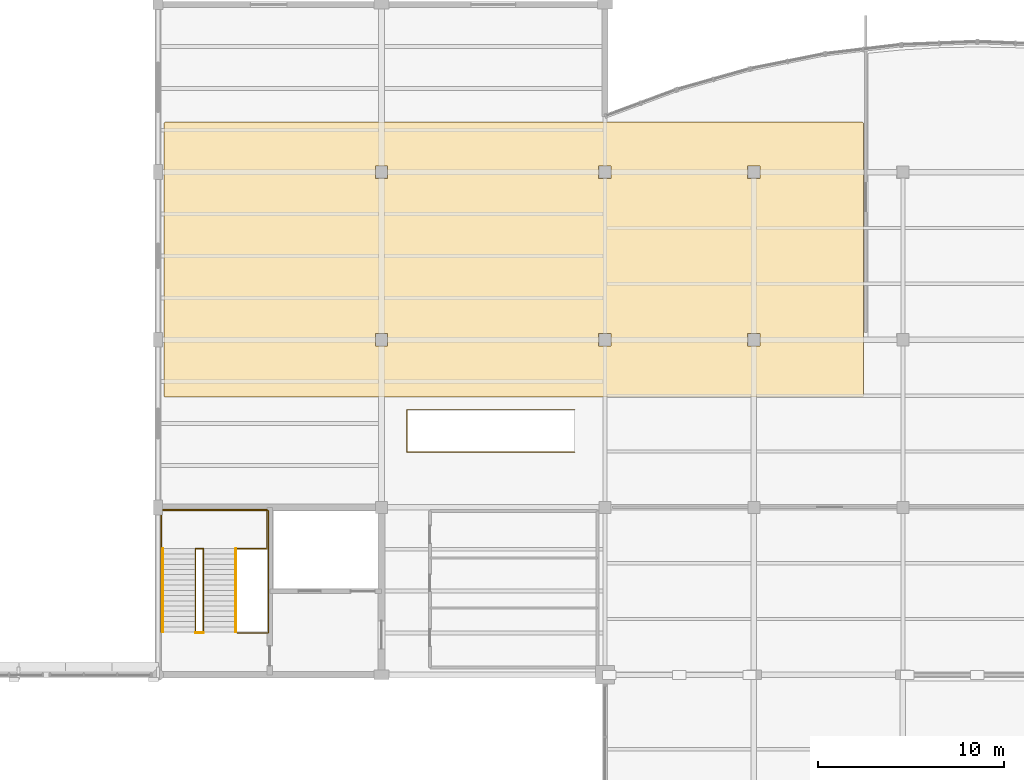
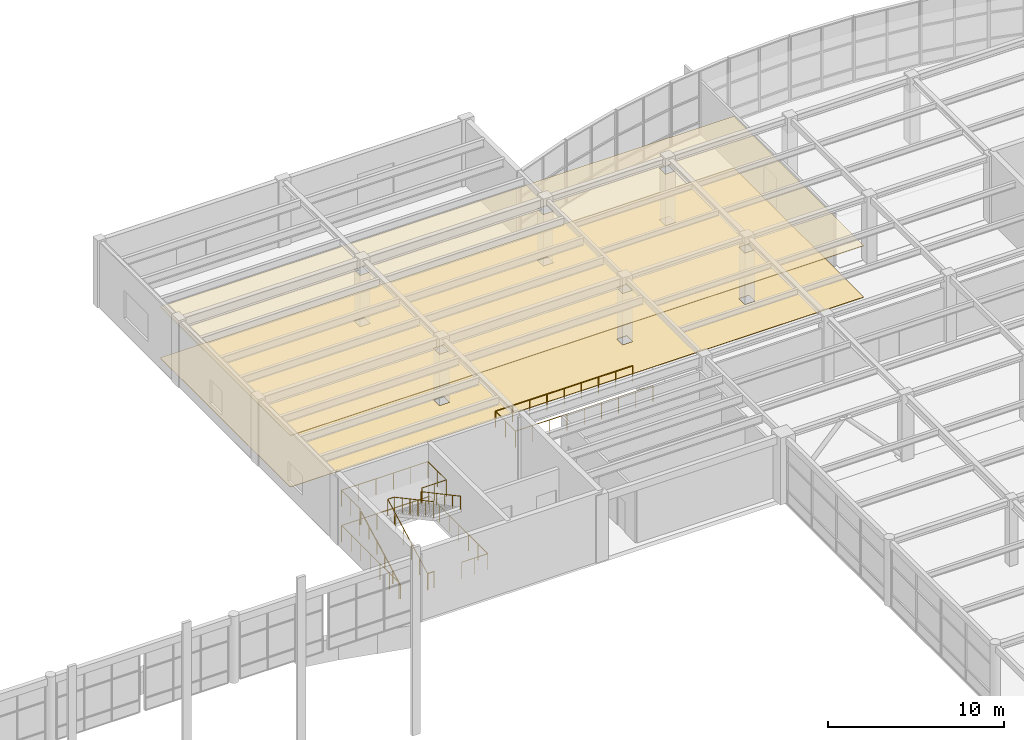
# One storey, part 55 of 63: 7 railings, 2 coverings.
"""IFC4 building model written with IfcOpenShell, lengths in metres."""

import ifcopenshell
import ifcopenshell.guid

model = None  # the IFC model being written
_history = None  # IfcOwnerHistory: only IFC2X3 demands one
_inside = {}  # id of a spatial element -> (the spatial element, [elements in it])
_under = {}  # id of a project, library or spatial element -> (it, [spatial elements below it])
_declared = {}  # id of a project -> (the project, [libraries it declares])
_typed = {}  # id of a type object -> (the type object, [elements of that type])
_made_of = {}  # id of a material, layer set ... -> (it, [elements and type objects made of it])


def new_model(schema):
    """Start an empty IFC model of exactly this schema.

    Asked for "IFC4X3", IfcOpenShell would pick the latest addendum, in which some entities
    have other attributes; the version numbers below select the first issue.
    IFC2X3 requires an IfcOwnerHistory on every rooted entity: one is made here for all.
    """
    global model, _history
    if schema == "IFC4X3":
        model = ifcopenshell.file(schema_version=(4, 3, 0, 0))
    else:
        model = ifcopenshell.file(schema=schema)
    _inside.clear()
    _under.clear()
    _declared.clear()
    _typed.clear()
    _made_of.clear()
    _history = None
    if model.schema == "IFC2X3":
        org = make("IfcOrganization", Name="unknown")
        user = make(
            "IfcPersonAndOrganization",
            ThePerson=make("IfcPerson", FamilyName="unknown"),
            TheOrganization=org,
        )
        app = make(
            "IfcApplication",
            ApplicationDeveloper=org,
            Version="unknown",
            ApplicationFullName="unknown",
            ApplicationIdentifier="unknown",
        )
        _history = make(
            "IfcOwnerHistory",
            OwningUser=user,
            OwningApplication=app,
            ChangeAction="ADDED",
            CreationDate=0,
        )
    return model


def make(cls, **values):
    """One entity of the class cls with the attributes given. An attribute that is None is left unset."""
    return model.create_entity(
        cls, **{name: value for name, value in values.items() if value is not None}
    )


def rooted(cls, **values):
    """An entity with a GlobalId (a new one), such as an element, a storey or a relation."""
    return make(cls, GlobalId=ifcopenshell.guid.new(), OwnerHistory=_history, **values)


def si_unit(unit_type, name, prefix=None):
    """IfcSIUnit, for example si_unit("LENGTHUNIT", "METRE", prefix="MILLI")."""
    return make("IfcSIUnit", UnitType=unit_type, Prefix=prefix, Name=name)


def assignment(units):
    """IfcUnitAssignment: the units of a project."""
    return None if units is None else make("IfcUnitAssignment", Units=units)


def point(xyz):
    """IfcCartesianPoint."""
    return None if xyz is None else make("IfcCartesianPoint", Coordinates=xyz)


def direction(xyz):
    """IfcDirection."""
    return None if xyz is None else make("IfcDirection", DirectionRatios=xyz)


def frame(location, z_axis=None, x_axis=None):
    """IfcAxis2Placement3D, a coordinate frame: its origin and axes. An axis left out is left unset."""
    return make(
        "IfcAxis2Placement3D",
        Location=point(location),
        Axis=direction(z_axis),
        RefDirection=direction(x_axis),
    )


def frame_2d(location, x_axis=None):
    """IfcAxis2Placement2D, a coordinate frame in the plane: its origin and x axis."""
    return make(
        "IfcAxis2Placement2D", Location=point(location), RefDirection=direction(x_axis)
    )


def origin():
    """The frame at (0, 0, 0) with its axes left unset."""
    return frame((0.0, 0.0, 0.0))


def origin_2d():
    """The frame at (0, 0) in the plane with its x axis left unset."""
    return frame_2d((0.0, 0.0))


def place(relative_to, where):
    """IfcLocalPlacement: puts the frame where relative to a parent placement (None: the world)."""
    return make(
        "IfcLocalPlacement", PlacementRelTo=relative_to, RelativePlacement=where
    )


def context(
    kind, dimensions, precision=None, world=None, true_north=None, identifier=None
):
    """IfcGeometricRepresentationContext, for example the 3D "Model" context."""
    return make(
        "IfcGeometricRepresentationContext",
        ContextIdentifier=identifier,
        ContextType=kind,
        CoordinateSpaceDimension=dimensions,
        Precision=precision,
        WorldCoordinateSystem=world,
        TrueNorth=true_north,
    )


def subcontext(parent, identifier, kind, view, scale=None):
    """IfcGeometricRepresentationSubContext, for example "Body" below "Model"."""
    return make(
        "IfcGeometricRepresentationSubContext",
        ContextIdentifier=identifier,
        ContextType=kind,
        ParentContext=parent,
        TargetScale=scale,
        TargetView=view,
    )


def project(units=None, contexts=None):
    """IfcProject with its units and contexts."""
    return rooted(
        "IfcProject",
        Name="project",
        RepresentationContexts=contexts,
        UnitsInContext=assignment(units),
    )


def spatial(cls, under=None, at=None, **own):
    """A site, building, storey or space (cls), placed at a placement, below another one or the project."""
    s = rooted(cls, ObjectPlacement=at, **own)
    if under is not None:
        _under.setdefault(under.id(), (under, []))[1].append(s)
    return s


def polyline(points):
    """IfcPolyline through the points."""
    return make("IfcPolyline", Points=[point(p) for p in points])


def profile(cls, at=None, kind="AREA", **sizes):
    """A parametric profile (cls). Its sizes go by their IFC names, for example OverallWidth=200.0."""
    return make(cls, ProfileType=kind, Position=at, **sizes)


def circle(**sizes):
    """IfcCircleProfileDef."""
    return profile("IfcCircleProfileDef", **sizes)


def outline(outer, holes=None, kind="AREA"):
    """IfcArbitraryClosedProfileDef: a profile drawn as a closed curve; with holes, ...WithVoids."""
    if holes is None:
        return make("IfcArbitraryClosedProfileDef", ProfileType=kind, OuterCurve=outer)
    return make(
        "IfcArbitraryProfileDefWithVoids",
        ProfileType=kind,
        OuterCurve=outer,
        InnerCurves=holes,
    )


def extrude(swept, where, along, depth):
    """IfcExtrudedAreaSolid: the profile swept, set in the frame where, extruded along a direction by depth."""
    return make(
        "IfcExtrudedAreaSolid",
        SweptArea=swept,
        Position=where,
        ExtrudedDirection=direction(along),
        Depth=depth,
    )


def shape(context_of_items, identifier, shape_type, items):
    """IfcShapeRepresentation: the items that make up one representation, for example the "Body"."""
    return make(
        "IfcShapeRepresentation",
        ContextOfItems=context_of_items,
        RepresentationIdentifier=identifier,
        RepresentationType=shape_type,
        Items=items,
    )


def material(Name=None, Category=None):
    """IfcMaterial."""
    return make("IfcMaterial", Name=Name, Category=Category)


def layer(
    of_material, thickness, ventilated=None, Name=None, Category=None, Priority=None
):
    """IfcMaterialLayer: one layer of a wall or slab, of a material (None: an air gap)."""
    return make(
        "IfcMaterialLayer",
        Material=of_material,
        LayerThickness=thickness,
        IsVentilated=ventilated,
        Name=Name,
        Category=Category,
        Priority=Priority,
    )


def layer_set(layers, Name=None):
    """IfcMaterialLayerSet."""
    return make("IfcMaterialLayerSet", MaterialLayers=layers, LayerSetName=Name)


def made_of(thing, what):
    """Note that an element or type object is made of a material, layer set ...; save() writes the relation."""
    if what is not None:
        _made_of.setdefault(what.id(), (what, []))[1].append(thing)
    return thing


def type_object(cls, material=None, **own):
    """A type object (cls), such as IfcWallType, which elements share."""
    return made_of(rooted(cls, **own), material)


def element(
    cls,
    number,
    at=None,
    inside=None,
    cuts=None,
    type_object=None,
    material=None,
    context=None,
    identifier="Body",
    shape_type=None,
    held_by="IfcProductDefinitionShape",
    body=None,
    shapes=None,
    **own,
):
    """One element of the class cls, such as IfcWall. Its Tag is "e" and its number.

    at: its placement. inside: the storey or other place that contains it. cuts: it is an
    opening in that element (IfcRelVoidsElement). A single representation is given by context,
    identifier, shape_type and body (its items); several are given by shapes. held_by: the class
    of the entity that holds the representations. save() writes the other relations.
    """
    e = rooted(cls, Tag="e%d" % number, ObjectPlacement=at, **own)
    if body is not None:
        shapes = [shape(context, identifier, shape_type, body)]
    if shapes is not None:
        e.Representation = make(held_by, Representations=shapes)
    if inside is not None:
        _inside.setdefault(inside.id(), (inside, []))[1].append(e)
    if cuts is not None:
        rooted(
            "IfcRelVoidsElement", RelatingBuildingElement=cuts, RelatedOpeningElement=e
        )
    if type_object is not None:
        _typed.setdefault(type_object.id(), (type_object, []))[1].append(e)
    return made_of(e, material)


def aggregate(whole, parts):
    """IfcRelAggregates: a whole, such as a stair, and the parts it consists of."""
    return rooted("IfcRelAggregates", RelatingObject=whole, RelatedObjects=parts)


def save(model, path):
    """Write the relations noted so far, then the file.

    IfcRelAggregates (storeys below a building ...), IfcRelContainedInSpatialStructure (elements
    in a storey), IfcRelDefinesByType, IfcRelAssociatesMaterial and IfcRelDeclares: one each for
    every whole, place, type object, material and project.
    """
    for whole, parts in _under.values():
        aggregate(whole, parts)
    for where, things in _inside.values():
        rooted(
            "IfcRelContainedInSpatialStructure",
            RelatedElements=things,
            RelatingStructure=where,
        )
    for kind, things in _typed.values():
        rooted("IfcRelDefinesByType", RelatedObjects=things, RelatingType=kind)
    for what, things in _made_of.values():
        rooted("IfcRelAssociatesMaterial", RelatedObjects=things, RelatingMaterial=what)
    for by, libraries in _declared.values():
        rooted("IfcRelDeclares", RelatingContext=by, RelatedDefinitions=libraries)
    model.write(path)


model = new_model("IFC4")

# Units and contexts
model_context = context("Model", 3, precision=1e-05, world=origin(), true_north=direction((0.0, 1.0)))
body_context = subcontext(model_context, "Body", "Model", "MODEL_VIEW")
ifc_project = project(units=[si_unit("LENGTHUNIT", "METRE"), si_unit("AREAUNIT", "SQUARE_METRE"), si_unit("VOLUMEUNIT", "CUBIC_METRE"), si_unit("PLANEANGLEUNIT", "RADIAN"), si_unit("MASSUNIT", "GRAM", prefix="KILO")], contexts=[model_context])

# Site, building, storey
site_placement = place(None, origin())
site = spatial("IfcSite", under=ifc_project, at=site_placement, CompositionType="ELEMENT")
building_placement = place(site_placement, origin())
building = spatial("IfcBuilding", under=site, at=building_placement, Name="Keelwater Ferry Terminal", CompositionType="ELEMENT")
storey_placement = place(building_placement, frame((0.0, 0.0, 10.199951171875)))
storey = spatial("IfcBuildingStorey", under=building, at=storey_placement, Name="L02", CompositionType="ELEMENT", Elevation=10.199951171875)

# Coverings
ifc_material_1 = material(Name="Perforated acoustic gypsum board ceiling", Category="gypsum")
ifc_layer_1 = layer(ifc_material_1, 0.044921875)
ifc_layer_set_1 = layer_set([ifc_layer_1], Name="Perforated acoustic gypsum board ceiling")
covering_type_1 = type_object("IfcCoveringType", Name="CL-AC Acoustic Baffle Ceiling", PredefinedType="CEILING", material=ifc_layer_set_1)
covering_1_placement = place(storey_placement, frame((0.0, 0.0, 3.550048828125)))
element("IfcCovering", 1, at=covering_1_placement, inside=storey, type_object=covering_type_1, Name="Quay Community Hall Acoustic Ceiling", PredefinedType="CEILING", context=body_context, shape_type="SweptSolid", body=[
    extrude(outline(polyline([(145.81591796875, 119.677978515625), (145.822998046875, 119.677001953125), (145.8310546875, 119.674072265625), (145.837890625, 119.6708984375), (145.843994140625, 119.6669921875), (145.85107421875, 119.662109375), (145.85693359375, 119.656982421875), (145.862060546875, 119.65087890625), (145.866943359375, 119.64404296875), (145.87109375, 119.637939453125), (145.8740234375, 119.631103515625), (145.876953125, 119.623046875), (145.8779296875, 119.615966796875), (145.8798828125, 119.60791015625), (145.8798828125, 119.60009765625), (145.8798828125, 105.0), (145.8798828125, 104.991943359375), (145.8779296875, 104.98388671875), (145.876953125, 104.97705078125), (145.8740234375, 104.968994140625), (145.87109375, 104.9619140625), (145.866943359375, 104.9560546875), (145.862060546875, 104.948974609375), (145.85693359375, 104.943115234375), (145.85107421875, 104.93798828125), (145.843994140625, 104.93310546875), (145.837890625, 104.928955078125), (145.8310546875, 104.926025390625), (145.822998046875, 104.923095703125), (145.81591796875, 104.922119140625), (145.80810546875, 104.919921875), (145.800048828125, 104.919921875), (108.39990234375, 104.919921875), (108.39208984375, 104.919921875), (108.384033203125, 104.922119140625), (108.376953125, 104.923095703125), (108.368896484375, 104.926025390625), (108.362060546875, 104.928955078125), (108.35595703125, 104.93310546875), (108.34912109375, 104.93798828125), (108.343017578125, 104.943115234375), (108.337890625, 104.948974609375), (108.3330078125, 104.9560546875), (108.3291015625, 104.9619140625), (108.325927734375, 104.968994140625), (108.322998046875, 104.97705078125), (108.322021484375, 104.98388671875), (108.320068359375, 104.991943359375), (108.320068359375, 105.0), (108.320068359375, 119.60009765625), (108.320068359375, 119.60791015625), (108.322021484375, 119.615966796875), (108.322998046875, 119.623046875), (108.325927734375, 119.631103515625), (108.3291015625, 119.637939453125), (108.3330078125, 119.64404296875), (108.337890625, 119.65087890625), (108.343017578125, 119.656982421875), (108.34912109375, 119.662109375), (108.35595703125, 119.6669921875), (108.362060546875, 119.6708984375), (108.368896484375, 119.674072265625), (108.376953125, 119.677001953125), (108.384033203125, 119.677978515625), (108.39208984375, 119.679931640625), (108.39990234375, 119.679931640625), (145.800048828125, 119.679931640625), (145.80810546875, 119.679931640625), (145.81591796875, 119.677978515625)]), holes=[polyline([(119.6650390625, 108.3349609375), (119.6650390625, 107.6650390625), (120.3349609375, 107.6650390625), (120.3349609375, 108.3349609375), (119.6650390625, 108.3349609375)]), polyline([(131.6650390625, 108.3349609375), (131.6650390625, 107.6650390625), (132.3349609375, 107.6650390625), (132.3349609375, 108.3349609375), (131.6650390625, 108.3349609375)]), polyline([(119.6650390625, 117.3349609375), (119.6650390625, 116.6650390625), (120.3349609375, 116.6650390625), (120.3349609375, 117.3349609375), (119.6650390625, 117.3349609375)]), polyline([(131.6650390625, 117.3349609375), (131.6650390625, 116.6650390625), (132.3349609375, 116.6650390625), (132.3349609375, 117.3349609375), (131.6650390625, 117.3349609375)]), polyline([(139.6650390625, 108.3349609375), (139.6650390625, 107.6650390625), (140.3349609375, 107.6650390625), (140.3349609375, 108.3349609375), (139.6650390625, 108.3349609375)]), polyline([(139.6650390625, 117.3349609375), (139.6650390625, 116.6650390625), (140.3349609375, 116.6650390625), (140.3349609375, 117.3349609375), (139.6650390625, 117.3349609375)])]), origin(), (0.0, 0.0, 1.0), 0.044921875),
])
ifc_material_2 = material(Name="Polished mineral terrazzo tile", Category="stone")
ifc_layer_2 = layer(ifc_material_2, 0.030029296875)
ifc_layer_set_2 = layer_set([ifc_layer_2], Name="Polished mineral terrazzo tile")
covering_type_2 = type_object("IfcCoveringType", Name="FL-TZ Marine Terrazzo Flooring", PredefinedType="FLOORING", material=ifc_layer_set_2)
covering_2_placement = place(storey_placement, origin())
element("IfcCovering", 2, at=covering_2_placement, inside=storey, type_object=covering_type_2, Name="Quay Community Hall Terrazzo Floor", PredefinedType="FLOORING", context=body_context, shape_type="SweptSolid", body=[
    extrude(outline(polyline([(145.81591796875, 119.677978515625), (145.822998046875, 119.677001953125), (145.8310546875, 119.674072265625), (145.837890625, 119.6708984375), (145.843994140625, 119.6669921875), (145.85107421875, 119.662109375), (145.85693359375, 119.656982421875), (145.862060546875, 119.65087890625), (145.866943359375, 119.64404296875), (145.87109375, 119.637939453125), (145.8740234375, 119.631103515625), (145.876953125, 119.623046875), (145.8779296875, 119.615966796875), (145.8798828125, 119.60791015625), (145.8798828125, 119.60009765625), (145.8798828125, 105.0), (145.8798828125, 104.991943359375), (145.8779296875, 104.98388671875), (145.876953125, 104.97705078125), (145.8740234375, 104.968994140625), (145.87109375, 104.9619140625), (145.866943359375, 104.9560546875), (145.862060546875, 104.948974609375), (145.85693359375, 104.943115234375), (145.85107421875, 104.93798828125), (145.843994140625, 104.93310546875), (145.837890625, 104.928955078125), (145.8310546875, 104.926025390625), (145.822998046875, 104.923095703125), (145.81591796875, 104.922119140625), (145.80810546875, 104.919921875), (145.800048828125, 104.919921875), (108.39990234375, 104.919921875), (108.39208984375, 104.919921875), (108.384033203125, 104.922119140625), (108.376953125, 104.923095703125), (108.368896484375, 104.926025390625), (108.362060546875, 104.928955078125), (108.35595703125, 104.93310546875), (108.34912109375, 104.93798828125), (108.343017578125, 104.943115234375), (108.337890625, 104.948974609375), (108.3330078125, 104.9560546875), (108.3291015625, 104.9619140625), (108.325927734375, 104.968994140625), (108.322998046875, 104.97705078125), (108.322021484375, 104.98388671875), (108.320068359375, 104.991943359375), (108.320068359375, 105.0), (108.320068359375, 119.60009765625), (108.320068359375, 119.60791015625), (108.322021484375, 119.615966796875), (108.322998046875, 119.623046875), (108.325927734375, 119.631103515625), (108.3291015625, 119.637939453125), (108.3330078125, 119.64404296875), (108.337890625, 119.65087890625), (108.343017578125, 119.656982421875), (108.34912109375, 119.662109375), (108.35595703125, 119.6669921875), (108.362060546875, 119.6708984375), (108.368896484375, 119.674072265625), (108.376953125, 119.677001953125), (108.384033203125, 119.677978515625), (108.39208984375, 119.679931640625), (108.39990234375, 119.679931640625), (145.800048828125, 119.679931640625), (145.80810546875, 119.679931640625), (145.81591796875, 119.677978515625)]), holes=[polyline([(119.6650390625, 108.3349609375), (119.6650390625, 107.6650390625), (120.3349609375, 107.6650390625), (120.3349609375, 108.3349609375), (119.6650390625, 108.3349609375)]), polyline([(131.6650390625, 108.3349609375), (131.6650390625, 107.6650390625), (132.3349609375, 107.6650390625), (132.3349609375, 108.3349609375), (131.6650390625, 108.3349609375)]), polyline([(119.6650390625, 117.3349609375), (119.6650390625, 116.6650390625), (120.3349609375, 116.6650390625), (120.3349609375, 117.3349609375), (119.6650390625, 117.3349609375)]), polyline([(131.6650390625, 117.3349609375), (131.6650390625, 116.6650390625), (132.3349609375, 116.6650390625), (132.3349609375, 117.3349609375), (131.6650390625, 117.3349609375)]), polyline([(139.6650390625, 108.3349609375), (139.6650390625, 107.6650390625), (140.3349609375, 107.6650390625), (140.3349609375, 108.3349609375), (139.6650390625, 108.3349609375)]), polyline([(139.6650390625, 117.3349609375), (139.6650390625, 116.6650390625), (140.3349609375, 116.6650390625), (140.3349609375, 117.3349609375), (139.6650390625, 117.3349609375)])]), origin(), (0.0, 0.0, 1.0), 0.030029296875),
])

# Railings
ifc_material_3 = material(Name="Painted Steel S355", Category="steel")
railing_type_1 = type_object("IfcRailingType", Name="GR-115 Stair Well Guardrail", PredefinedType="GUARDRAIL", material=ifc_material_3)
railing_1_placement = place(storey_placement, frame((110.010009765625, 92.260009765625, 0.0)))
element("IfcRailing", 3, at=railing_1_placement, inside=storey, type_object=railing_type_1, Name="Stair ST-C2-L01 Slot Threshold Guard 22", PredefinedType="GUARDRAIL", context=body_context, shape_type="SweptSolid", body=[
    extrude(circle(Radius=0.02392578125, at=origin_2d()), frame((0.0, 0.0, 1.1259765625), z_axis=(1.0, 0.0, 0.0), x_axis=(0.0, 1.0, 0.0)), (0.0, 0.0, 1.0), 0.419921875),
    extrude(circle(Radius=0.02099609375, at=origin_2d()), origin(), (0.0, 0.0, 1.0), 1.101806640625),
    extrude(circle(Radius=0.02099609375, at=origin_2d()), frame((0.419921875, 0.0, 0.0)), (0.0, 0.0, 1.0), 1.101806640625),
])
railing_2_placement = place(storey_placement, frame((108.159912109375, 92.300048828125, 0.0)))
element("IfcRailing", 4, at=railing_2_placement, inside=storey, type_object=railing_type_1, Name="Stair ST-C2-L01 Shaft Perimeter Guard 23", PredefinedType="GUARDRAIL", context=body_context, shape_type="SweptSolid", body=[
    extrude(circle(Radius=0.02392578125, at=origin_2d()), frame((0.0, 0.0, 1.1259765625), z_axis=(0.0, 1.0, 0.0), x_axis=(-1.0, 0.0, 0.0)), (0.0, 0.0, 1.0), 6.52001953125),
    extrude(circle(Radius=0.02392578125, at=origin_2d()), frame((0.0, 6.52001953125, 1.1259765625), z_axis=(1.0, 0.0, 0.0), x_axis=(0.0, 1.0, 0.0)), (0.0, 0.0, 1.0), 5.780029296875),
    extrude(circle(Radius=0.02392578125, at=origin_2d()), frame((5.780029296875, 6.52001953125, 1.1259765625), z_axis=(0.0, -1.0, 0.0), x_axis=(1.0, 0.0, 0.0)), (0.0, 0.0, 1.0), 6.56005859375),
    extrude(circle(Radius=0.02392578125, at=origin_2d()), frame((5.780029296875, -0.0400390625, 1.1259765625), z_axis=(-1.0, 0.0, 0.0), x_axis=(0.0, -1.0, 0.0)), (0.0, 0.0, 1.0), 1.699951171875),
    extrude(circle(Radius=0.02099609375, at=origin_2d()), origin(), (0.0, 0.0, 1.0), 1.101806640625),
    extrude(circle(Radius=0.02099609375, at=origin_2d()), frame((0.0, 1.086669921875, 0.0)), (0.0, 0.0, 1.0), 1.101806640625),
    extrude(circle(Radius=0.02099609375, at=origin_2d()), frame((0.0, 2.17333984375, 0.0)), (0.0, 0.0, 1.0), 1.101806640625),
    extrude(circle(Radius=0.02099609375, at=origin_2d()), frame((0.0, 3.260009765625, 0.0)), (0.0, 0.0, 1.0), 1.101806640625),
    extrude(circle(Radius=0.02099609375, at=origin_2d()), frame((0.0, 4.3466796875, 0.0)), (0.0, 0.0, 1.0), 1.101806640625),
    extrude(circle(Radius=0.02099609375, at=origin_2d()), frame((0.0, 5.433349609375, 0.0)), (0.0, 0.0, 1.0), 1.101806640625),
    extrude(circle(Radius=0.02099609375, at=origin_2d()), frame((0.0, 6.52001953125, 0.0)), (0.0, 0.0, 1.0), 1.101806640625),
    extrude(circle(Radius=0.02099609375, at=origin_2d()), frame((1.156005859375, 6.52001953125, 0.0)), (0.0, 0.0, 1.0), 1.101806640625),
    extrude(circle(Radius=0.02099609375, at=origin_2d()), frame((2.31201171875, 6.52001953125, 0.0)), (0.0, 0.0, 1.0), 1.101806640625),
    extrude(circle(Radius=0.02099609375, at=origin_2d()), frame((3.468017578125, 6.52001953125, 0.0)), (0.0, 0.0, 1.0), 1.101806640625),
    extrude(circle(Radius=0.02099609375, at=origin_2d()), frame((4.6240234375, 6.52001953125, 0.0)), (0.0, 0.0, 1.0), 1.101806640625),
    extrude(circle(Radius=0.02099609375, at=origin_2d()), frame((5.780029296875, 6.52001953125, 0.0)), (0.0, 0.0, 1.0), 1.101806640625),
    extrude(circle(Radius=0.02099609375, at=origin_2d()), frame((5.780029296875, 5.4267578125, 0.0)), (0.0, 0.0, 1.0), 1.101806640625),
    extrude(circle(Radius=0.02099609375, at=origin_2d()), frame((5.780029296875, 4.333251953125, 0.0)), (0.0, 0.0, 1.0), 1.101806640625),
    extrude(circle(Radius=0.02099609375, at=origin_2d()), frame((5.780029296875, 3.239990234375, 0.0)), (0.0, 0.0, 1.0), 1.101806640625),
    extrude(circle(Radius=0.02099609375, at=origin_2d()), frame((5.780029296875, 2.146728515625, 0.0)), (0.0, 0.0, 1.0), 1.101806640625),
    extrude(circle(Radius=0.02099609375, at=origin_2d()), frame((5.780029296875, 1.05322265625, 0.0)), (0.0, 0.0, 1.0), 1.101806640625),
    extrude(circle(Radius=0.02099609375, at=origin_2d()), frame((5.780029296875, -0.0400390625, 0.0)), (0.0, 0.0, 1.0), 1.101806640625),
    extrude(circle(Radius=0.02099609375, at=origin_2d()), frame((4.93017578125, -0.0400390625, 0.0)), (0.0, 0.0, 1.0), 1.101806640625),
    extrude(circle(Radius=0.02099609375, at=origin_2d()), frame((4.080078125, -0.0400390625, 0.0)), (0.0, 0.0, 1.0), 1.101806640625),
])
railing_3_placement = place(storey_placement, frame((110.010009765625, 92.300048828125, 0.0)))
element("IfcRailing", 5, at=railing_3_placement, inside=storey, type_object=railing_type_1, Name="Stair ST-C2-L02 Inner Well Guard 24", PredefinedType="GUARDRAIL", context=body_context, shape_type="SweptSolid", body=[
    extrude(circle(Radius=0.02392578125, at=origin_2d()), frame((0.0, 0.0, 1.1259765625), z_axis=(0.0, 0.881467115574, 0.472245406714), x_axis=(-1.0, 0.0, 0.0)), (0.0, 0.0, 1.0), 5.08251953125),
    extrude(circle(Radius=0.02392578125, at=origin_2d()), frame((0.0, 4.47998046875, 3.52587890625), z_axis=(1.0, 0.0, 0.0), x_axis=(0.0, 1.0, 0.0)), (0.0, 0.0, 1.0), 0.419921875),
    extrude(circle(Radius=0.02392578125, at=origin_2d()), frame((0.419921875, 4.47998046875, 3.52587890625), z_axis=(0.0, -0.881487111273, 0.472208081951), x_axis=(1.0, 0.0, 0.0)), (0.0, 0.0, 1.0), 5.082275390625),
    extrude(circle(Radius=0.02099609375, at=origin_2d()), origin(), (0.0, 0.0, 1.0), 1.101806640625),
    extrude(circle(Radius=0.02099609375, at=origin_2d()), frame((0.0, 0.89599609375, 0.47998046875)), (0.0, 0.0, 1.0), 1.101806640625),
    extrude(circle(Radius=0.02099609375, at=origin_2d()), frame((0.0, 1.7919921875, 0.9599609375)), (0.0, 0.0, 1.0), 1.101806640625),
    extrude(circle(Radius=0.02099609375, at=origin_2d()), frame((0.0, 2.68798828125, 1.440185546875)), (0.0, 0.0, 1.0), 1.101806640625),
    extrude(circle(Radius=0.02099609375, at=origin_2d()), frame((0.0, 3.583984375, 1.920166015625)), (0.0, 0.0, 1.0), 1.101806640625),
    extrude(circle(Radius=0.02099609375, at=origin_2d()), frame((0.0, 4.47998046875, 2.400146484375)), (0.0, 0.0, 1.0), 1.101806640625),
    extrude(circle(Radius=0.02099609375, at=origin_2d()), frame((0.419921875, 4.47998046875, 2.400146484375)), (0.0, 0.0, 1.0), 1.101806640625),
    extrude(circle(Radius=0.02099609375, at=origin_2d()), frame((0.419921875, 3.583984375, 2.880126953125)), (0.0, 0.0, 1.0), 1.101806640625),
    extrude(circle(Radius=0.02099609375, at=origin_2d()), frame((0.419921875, 2.68798828125, 3.360107421875)), (0.0, 0.0, 1.0), 1.101806640625),
    extrude(circle(Radius=0.02099609375, at=origin_2d()), frame((0.419921875, 1.7919921875, 3.840087890625)), (0.0, 0.0, 1.0), 1.101806640625),
    extrude(circle(Radius=0.02099609375, at=origin_2d()), frame((0.419921875, 0.89599609375, 4.320068359375)), (0.0, 0.0, 1.0), 1.101806640625),
    extrude(circle(Radius=0.02099609375, at=origin_2d()), frame((0.419921875, 0.0, 4.800048828125)), (0.0, 0.0, 1.0), 1.101806640625),
])
railing_4_placement = place(storey_placement, frame((108.199951171875, 96.780029296875, 2.400146484375)))
element("IfcRailing", 6, at=railing_4_placement, inside=storey, type_object=railing_type_1, Name="Stair ST-C2-L02 Half-Landing Guard 25", PredefinedType="GUARDRAIL", context=body_context, shape_type="SweptSolid", body=[
    extrude(circle(Radius=0.02392578125, at=origin_2d()), frame((0.0, 0.0, 1.1259765625), z_axis=(-1.0, 0.0, 0.0), x_axis=(0.0, -1.0, 0.0)), (0.0, 0.0, 1.0), 0.02001953125),
    extrude(circle(Radius=0.02392578125, at=origin_2d()), frame((-0.02001953125, 0.0, 1.1259765625), z_axis=(0.0, 1.0, 0.0), x_axis=(-1.0, 0.0, 0.0)), (0.0, 0.0, 1.0), 2.090087890625),
    extrude(circle(Radius=0.02392578125, at=origin_2d()), frame((-0.02001953125, 2.090087890625, 1.1259765625), z_axis=(1.0, 0.0, 0.0), x_axis=(0.0, 1.0, 0.0)), (0.0, 0.0, 1.0), 5.670166015625),
    extrude(circle(Radius=0.02392578125, at=origin_2d()), frame((5.650146484375, 2.090087890625, 1.1259765625), z_axis=(0.0, -1.0, 0.0), x_axis=(1.0, 0.0, 0.0)), (0.0, 0.0, 1.0), 2.090087890625),
    extrude(circle(Radius=0.02392578125, at=origin_2d()), frame((5.650146484375, 0.0, 1.1259765625), z_axis=(-1.0, 0.0, 0.0), x_axis=(0.0, -1.0, 0.0)), (0.0, 0.0, 1.0), 1.610107421875),
    extrude(circle(Radius=0.02099609375, at=origin_2d()), origin(), (0.0, 0.0, 1.0), 1.101806640625),
    extrude(circle(Radius=0.02099609375, at=origin_2d()), frame((-0.02001953125, 0.0, 0.0)), (0.0, 0.0, 1.0), 1.101806640625),
    extrude(circle(Radius=0.02099609375, at=origin_2d()), frame((-0.02001953125, 1.044921875, 0.0)), (0.0, 0.0, 1.0), 1.101806640625),
    extrude(circle(Radius=0.02099609375, at=origin_2d()), frame((-0.02001953125, 2.090087890625, 0.0)), (0.0, 0.0, 1.0), 1.101806640625),
    extrude(circle(Radius=0.02099609375, at=origin_2d()), frame((1.114013671875, 2.090087890625, 0.0)), (0.0, 0.0, 1.0), 1.101806640625),
    extrude(circle(Radius=0.02099609375, at=origin_2d()), frame((2.248046875, 2.090087890625, 0.0)), (0.0, 0.0, 1.0), 1.101806640625),
    extrude(circle(Radius=0.02099609375, at=origin_2d()), frame((3.382080078125, 2.090087890625, 0.0)), (0.0, 0.0, 1.0), 1.101806640625),
    extrude(circle(Radius=0.02099609375, at=origin_2d()), frame((4.51611328125, 2.090087890625, 0.0)), (0.0, 0.0, 1.0), 1.101806640625),
    extrude(circle(Radius=0.02099609375, at=origin_2d()), frame((5.650146484375, 2.090087890625, 0.0)), (0.0, 0.0, 1.0), 1.101806640625),
    extrude(circle(Radius=0.02099609375, at=origin_2d()), frame((5.650146484375, 1.044921875, 0.0)), (0.0, 0.0, 1.0), 1.101806640625),
    extrude(circle(Radius=0.02099609375, at=origin_2d()), frame((5.650146484375, 0.0, 0.0)), (0.0, 0.0, 1.0), 1.101806640625),
    extrude(circle(Radius=0.02099609375, at=origin_2d()), frame((4.84521484375, 0.0, 0.0)), (0.0, 0.0, 1.0), 1.101806640625),
    extrude(circle(Radius=0.02099609375, at=origin_2d()), frame((4.0400390625, 0.0, 0.0)), (0.0, 0.0, 1.0), 1.101806640625),
])
railing_5_placement = place(storey_placement, frame((130.360107421875, 101.9599609375, 0.0)))
element("IfcRailing", 7, at=railing_5_placement, inside=storey, type_object=railing_type_1, Name="Straight Stair AS-02 Top Well U-Guard 132", PredefinedType="GUARDRAIL", context=body_context, shape_type="SweptSolid", body=[
    extrude(circle(Radius=0.02392578125, at=origin_2d()), frame((0.0, 0.0, 1.1259765625), z_axis=(-1.0, 0.0, 0.0), x_axis=(0.0, -1.0, 0.0)), (0.0, 0.0, 1.0), 9.0),
    extrude(circle(Radius=0.02392578125, at=origin_2d()), frame((-9.0, 0.0, 1.1259765625), z_axis=(0.0, 1.0, 0.0), x_axis=(-1.0, 0.0, 0.0)), (0.0, 0.0, 1.0), 2.280029296875),
    extrude(circle(Radius=0.02392578125, at=origin_2d()), frame((-9.0, 2.280029296875, 1.1259765625), z_axis=(1.0, 0.0, 0.0), x_axis=(0.0, 1.0, 0.0)), (0.0, 0.0, 1.0), 9.0),
    extrude(circle(Radius=0.02099609375, at=origin_2d()), origin(), (0.0, 0.0, 1.0), 1.101806640625),
    extrude(circle(Radius=0.02099609375, at=origin_2d()), frame((-1.125, 0.0, 0.0)), (0.0, 0.0, 1.0), 1.101806640625),
    extrude(circle(Radius=0.02099609375, at=origin_2d()), frame((-2.25, 0.0, 0.0)), (0.0, 0.0, 1.0), 1.101806640625),
    extrude(circle(Radius=0.02099609375, at=origin_2d()), frame((-3.375, 0.0, 0.0)), (0.0, 0.0, 1.0), 1.101806640625),
    extrude(circle(Radius=0.02099609375, at=origin_2d()), frame((-4.5, 0.0, 0.0)), (0.0, 0.0, 1.0), 1.101806640625),
    extrude(circle(Radius=0.02099609375, at=origin_2d()), frame((-5.625, 0.0, 0.0)), (0.0, 0.0, 1.0), 1.101806640625),
    extrude(circle(Radius=0.02099609375, at=origin_2d()), frame((-6.75, 0.0, 0.0)), (0.0, 0.0, 1.0), 1.101806640625),
    extrude(circle(Radius=0.02099609375, at=origin_2d()), frame((-7.875, 0.0, 0.0)), (0.0, 0.0, 1.0), 1.101806640625),
    extrude(circle(Radius=0.02099609375, at=origin_2d()), frame((-9.0, 0.0, 0.0)), (0.0, 0.0, 1.0), 1.101806640625),
    extrude(circle(Radius=0.02099609375, at=origin_2d()), frame((-9.0, 1.14013671875, 0.0)), (0.0, 0.0, 1.0), 1.101806640625),
    extrude(circle(Radius=0.02099609375, at=origin_2d()), frame((-9.0, 2.280029296875, 0.0)), (0.0, 0.0, 1.0), 1.101806640625),
    extrude(circle(Radius=0.02099609375, at=origin_2d()), frame((-7.875, 2.280029296875, 0.0)), (0.0, 0.0, 1.0), 1.101806640625),
    extrude(circle(Radius=0.02099609375, at=origin_2d()), frame((-6.75, 2.280029296875, 0.0)), (0.0, 0.0, 1.0), 1.101806640625),
    extrude(circle(Radius=0.02099609375, at=origin_2d()), frame((-5.625, 2.280029296875, 0.0)), (0.0, 0.0, 1.0), 1.101806640625),
    extrude(circle(Radius=0.02099609375, at=origin_2d()), frame((-4.5, 2.280029296875, 0.0)), (0.0, 0.0, 1.0), 1.101806640625),
    extrude(circle(Radius=0.02099609375, at=origin_2d()), frame((-3.375, 2.280029296875, 0.0)), (0.0, 0.0, 1.0), 1.101806640625),
    extrude(circle(Radius=0.02099609375, at=origin_2d()), frame((-2.25, 2.280029296875, 0.0)), (0.0, 0.0, 1.0), 1.101806640625),
    extrude(circle(Radius=0.02099609375, at=origin_2d()), frame((-1.125, 2.280029296875, 0.0)), (0.0, 0.0, 1.0), 1.101806640625),
    extrude(circle(Radius=0.02099609375, at=origin_2d()), frame((0.0, 2.280029296875, 0.0)), (0.0, 0.0, 1.0), 1.101806640625),
])
ifc_material_4 = material(Name="Brushed stainless steel handrail", Category="steel")
railing_type_2 = type_object("IfcRailingType", Name="HR-920 Stair Pitch Handrail", PredefinedType="HANDRAIL", material=ifc_material_4)
railing_6_placement = place(storey_placement, frame((108.260009765625, 92.300048828125, 0.0)))
element("IfcRailing", 8, at=railing_6_placement, inside=storey, type_object=railing_type_2, Name="Stair ST-C2-L02 Flight 1 Handrail 26", PredefinedType="HANDRAIL", context=body_context, shape_type="SweptSolid", body=[
    extrude(circle(Radius=0.02392578125, at=origin_2d()), frame((0.0, 0.0, 0.89599609375), z_axis=(0.0, 0.881467115574, 0.472245406714), x_axis=(-1.0, 0.0, 0.0)), (0.0, 0.0, 1.0), 5.08251953125),
    extrude(circle(Radius=0.02099609375, at=origin_2d()), origin(), (0.0, 0.0, 1.0), 0.871826171875),
    extrude(circle(Radius=0.02099609375, at=origin_2d()), frame((0.0, 0.89599609375, 0.47998046875)), (0.0, 0.0, 1.0), 0.871826171875),
    extrude(circle(Radius=0.02099609375, at=origin_2d()), frame((0.0, 1.7919921875, 0.9599609375)), (0.0, 0.0, 1.0), 0.871826171875),
    extrude(circle(Radius=0.02099609375, at=origin_2d()), frame((0.0, 2.68798828125, 1.440185546875)), (0.0, 0.0, 1.0), 0.871826171875),
    extrude(circle(Radius=0.02099609375, at=origin_2d()), frame((0.0, 3.583984375, 1.920166015625)), (0.0, 0.0, 1.0), 0.871826171875),
    extrude(circle(Radius=0.02099609375, at=origin_2d()), frame((0.0, 4.47998046875, 2.400146484375)), (0.0, 0.0, 1.0), 0.871826171875),
])
railing_7_placement = place(storey_placement, frame((112.179931640625, 96.780029296875, 2.400146484375)))
element("IfcRailing", 9, at=railing_7_placement, inside=storey, type_object=railing_type_2, Name="Stair ST-C2-L02 Flight 2 Handrail 27", PredefinedType="HANDRAIL", context=body_context, shape_type="SweptSolid", body=[
    extrude(circle(Radius=0.02392578125, at=origin_2d()), frame((0.0, 0.0, 0.89599609375), z_axis=(0.0, -0.881487111273, 0.472208081951), x_axis=(1.0, 0.0, 0.0)), (0.0, 0.0, 1.0), 5.082275390625),
    extrude(circle(Radius=0.02099609375, at=origin_2d()), origin(), (0.0, 0.0, 1.0), 0.871826171875),
    extrude(circle(Radius=0.02099609375, at=origin_2d()), frame((0.0, -0.89599609375, 0.47998046875)), (0.0, 0.0, 1.0), 0.871826171875),
    extrude(circle(Radius=0.02099609375, at=origin_2d()), frame((0.0, -1.7919921875, 0.9599609375)), (0.0, 0.0, 1.0), 0.871826171875),
    extrude(circle(Radius=0.02099609375, at=origin_2d()), frame((0.0, -2.68798828125, 1.43994140625)), (0.0, 0.0, 1.0), 0.871826171875),
    extrude(circle(Radius=0.02099609375, at=origin_2d()), frame((0.0, -3.583984375, 1.919921875)), (0.0, 0.0, 1.0), 0.871826171875),
    extrude(circle(Radius=0.02099609375, at=origin_2d()), frame((0.0, -4.47998046875, 2.39990234375)), (0.0, 0.0, 1.0), 0.871826171875),
])

save(model, "model.ifc")
